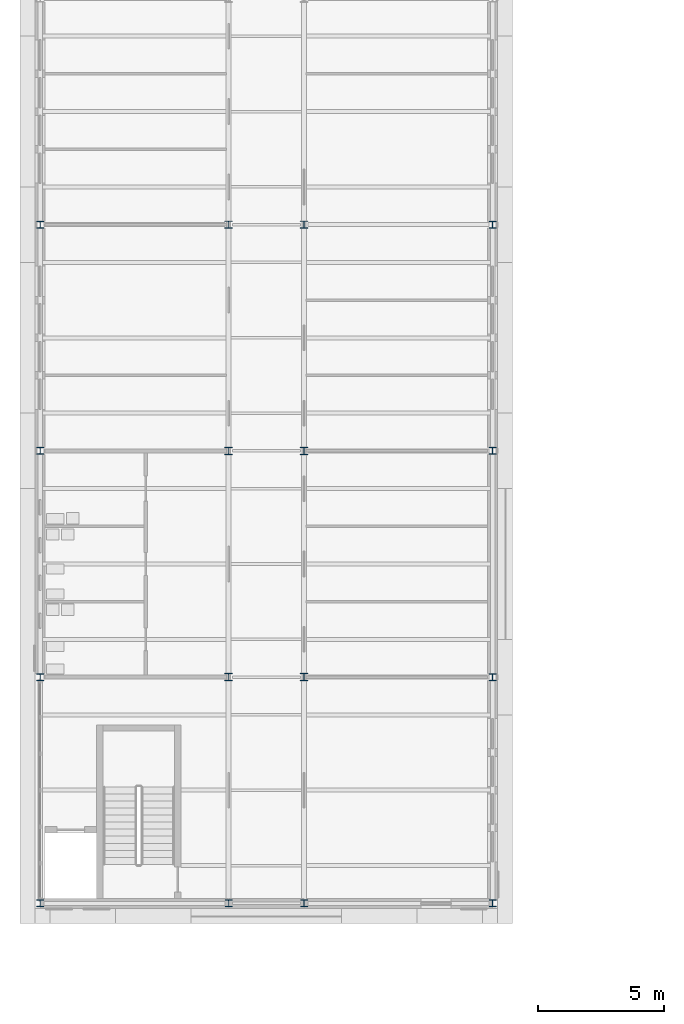
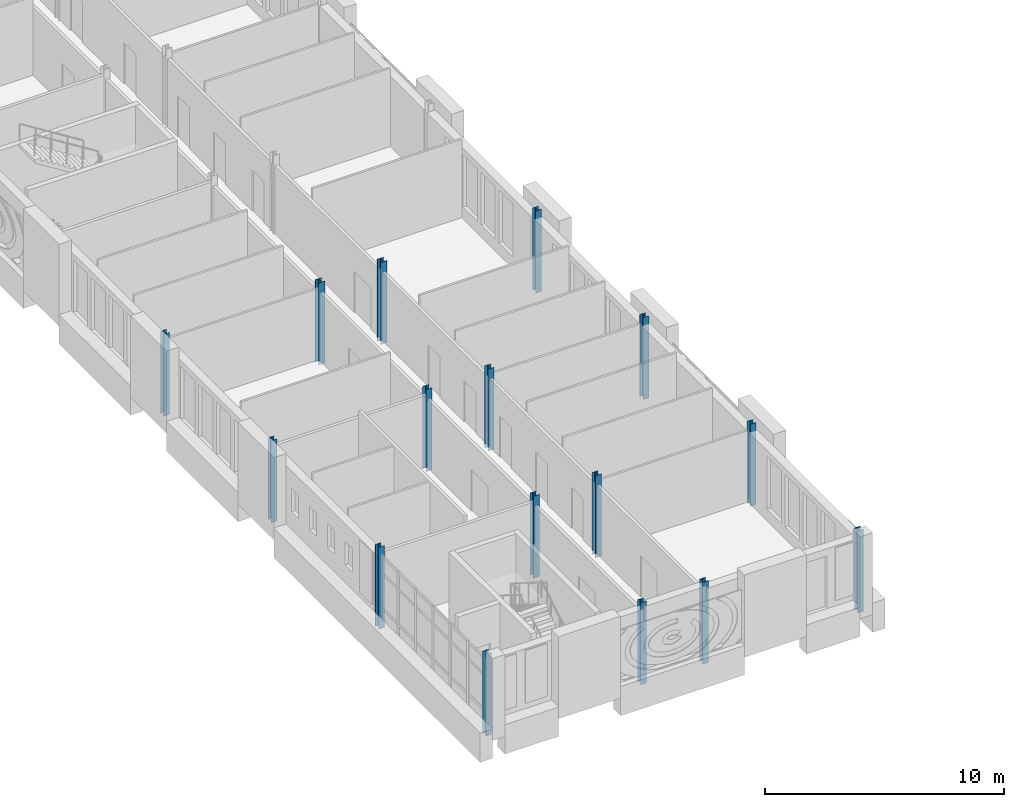
# One storey, part 1 of 154: 16 columns.
"""IFC4 building model written with IfcOpenShell, lengths in metres."""

from ifc_helpers import new_model, si_unit, direction, frame, origin, origin_2d, place, context, subcontext, project, spatial, i_section, extrude, material, material_profile, profile_set, type_object, element, save


model = new_model("IFC4")

# Units and contexts
model_context = context("Model", 3, precision=1e-05, world=origin(), true_north=direction((0.0, 1.0)))
body_context = subcontext(model_context, "Body", "Model", "MODEL_VIEW")
ifc_project = project(units=[si_unit("LENGTHUNIT", "METRE"), si_unit("AREAUNIT", "SQUARE_METRE"), si_unit("VOLUMEUNIT", "CUBIC_METRE"), si_unit("PLANEANGLEUNIT", "RADIAN"), si_unit("MASSUNIT", "GRAM", prefix="KILO")], contexts=[model_context])

# Site, building, storey
site_placement = place(None, origin())
site = spatial("IfcSite", under=ifc_project, at=site_placement, CompositionType="ELEMENT")
building_placement = place(site_placement, origin())
building = spatial("IfcBuilding", under=site, at=building_placement, Name="Golden Quay Civic Hall", CompositionType="ELEMENT")
storey_placement = place(building_placement, frame((0.0, 0.0, 14.39990234375)))
storey = spatial("IfcBuildingStorey", under=building, at=storey_placement, Name="L03", CompositionType="ELEMENT", Elevation=14.39990234375)

# Columns
ifc_material_1 = material(Name="Steel S355", Category="steel")
ifc_material_profile_1 = material_profile(ifc_material_1, i_section(OverallWidth=0.280029296875, OverallDepth=0.27001953125, WebThickness=0.008056640625, FlangeThickness=0.012939453125, FilletRadius=0.02392578125, at=origin_2d()), Name="HEA 280")
ifc_profile_set_1 = profile_set([ifc_material_profile_1], Name="Steel S355")
column_type_1 = type_object("IfcColumnType", Name="Steel column HEA 280", PredefinedType="COLUMN", material=ifc_profile_set_1)
for number, where, z_axis, x_axis, name in (
    (1, (0.0, -9.0, -0.199951171875), (0.0, 0.0, 1.0), (1.0, 0.0, 0.0), "Column 0/-9 L03"),
    (2, (0.0, 0.0, -0.199951171875), (0.0, 0.0, 1.0), (1.0, 0.0, 0.0), "Column 0/0 L03"),
    (3, (0.0, 9.0, -0.199951171875), (0.0, 0.0, 1.0), (1.0, 0.0, 0.0), "Column 0/9 L03"),
    (4, (0.0, 18.0, -0.199951171875), (0.0, 0.0, 1.0), (1.0, 0.0, 0.0), "Column 0/18 L03"),
    (5, (7.5, -9.0, -0.199951171875), (0.0, 0.0, 1.0), (1.0, 0.0, 0.0), "Column 7.5/-9 L03"),
    (6, (10.5, -9.0, -0.199951171875), (0.0, 0.0, 1.0), (1.0, 0.0, 0.0), "Column 10.5/-9 L03"),
    (7, (18.0, -9.0, -0.199951171875), (0.0, 0.0, 1.0), (1.0, 0.0, 0.0), "Column 18/-9 L03"),
    (8, (18.0, 0.0, -0.199951171875), (0.0, 0.0, 1.0), (1.0, 0.0, 0.0), "Column 18/0 L03"),
    (9, (18.0, 9.0, -0.199951171875), (0.0, 0.0, 1.0), (1.0, 0.0, 0.0), "Column 18/9 L03"),
    (10, (18.0, 18.0, -0.199951171875), (0.0, 0.0, 1.0), (1.0, 0.0, 0.0), "Column 18/18 L03"),
):
    element("IfcColumn", number, at=place(storey_placement, frame(where, z_axis=z_axis, x_axis=x_axis)), inside=storey, type_object=column_type_1, Name=name, PredefinedType="COLUMN", context=body_context, shape_type="SweptSolid", body=[
        extrude(i_section(OverallWidth=0.280029296875, OverallDepth=0.27001953125, WebThickness=0.008056640625, FlangeThickness=0.012939453125, FilletRadius=0.02392578125, at=origin_2d()), origin(), (0.0, 0.0, 1.0), 4.199951171875),
    ])
ifc_material_2 = material(Name="Steel S355", Category="steel")
ifc_material_profile_2 = material_profile(ifc_material_2, i_section(OverallWidth=0.300048828125, OverallDepth=0.2900390625, WebThickness=0.008544921875, FlangeThickness=0.013916015625, FilletRadius=0.027099609375, at=origin_2d()), Name="HEA 300")
ifc_profile_set_2 = profile_set([ifc_material_profile_2], Name="Steel S355")
column_type_2 = type_object("IfcColumnType", Name="Steel column HEA 300", PredefinedType="COLUMN", material=ifc_profile_set_2)
for number, where, z_axis, x_axis, name in (
    (11, (7.5, 0.0, -0.199951171875), (0.0, 0.0, 1.0), (1.0, 0.0, 0.0), "Column 7.5/0 L03"),
    (12, (7.5, 9.0, -0.199951171875), (0.0, 0.0, 1.0), (1.0, 0.0, 0.0), "Column 7.5/9 L03"),
    (13, (7.5, 18.0, -0.199951171875), (0.0, 0.0, 1.0), (1.0, 0.0, 0.0), "Column 7.5/18 L03"),
    (14, (10.5, 0.0, -0.199951171875), (0.0, 0.0, 1.0), (1.0, 0.0, 0.0), "Column 10.5/0 L03"),
    (15, (10.5, 9.0, -0.199951171875), (0.0, 0.0, 1.0), (1.0, 0.0, 0.0), "Column 10.5/9 L03"),
    (16, (10.5, 18.0, -0.199951171875), (0.0, 0.0, 1.0), (1.0, 0.0, 0.0), "Column 10.5/18 L03"),
):
    element("IfcColumn", number, at=place(storey_placement, frame(where, z_axis=z_axis, x_axis=x_axis)), inside=storey, type_object=column_type_2, Name=name, PredefinedType="COLUMN", context=body_context, shape_type="SweptSolid", body=[
        extrude(i_section(OverallWidth=0.300048828125, OverallDepth=0.2900390625, WebThickness=0.008544921875, FlangeThickness=0.013916015625, FilletRadius=0.027099609375, at=origin_2d()), origin(), (0.0, 0.0, 1.0), 4.199951171875),
    ])

save(model, "model.ifc")
